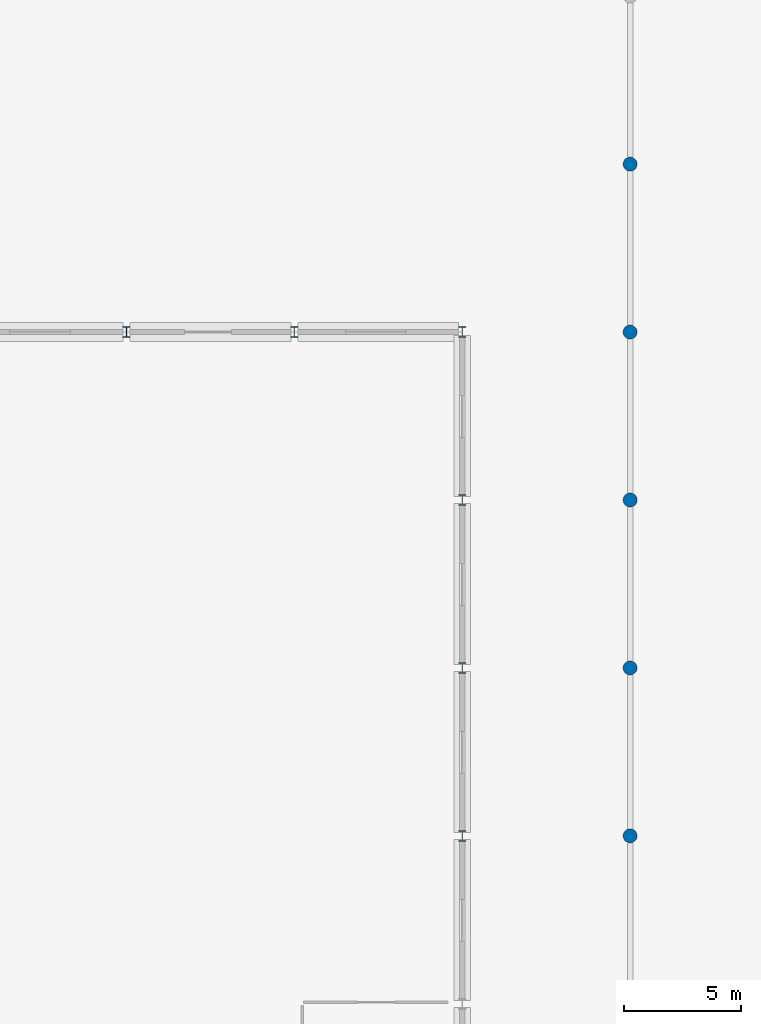
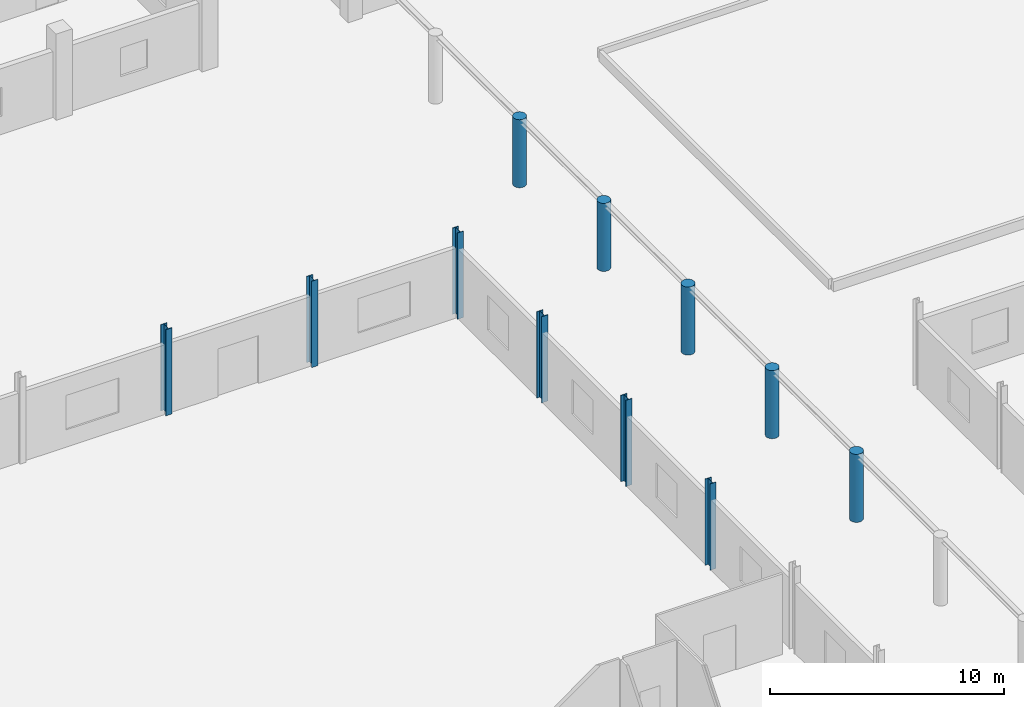
# One storey, part 13 of 139: 11 columns.
"""IFC4 building model written with IfcOpenShell, lengths in metres."""

from ifc_helpers import new_model, si_unit, direction, frame, origin, origin_2d, place, context, subcontext, project, spatial, circle, i_section, extrude, material, material_profile, profile_set, type_object, element, save


model = new_model("IFC4")

# Units and contexts
model_context = context("Model", 3, precision=1e-05, world=origin(), true_north=direction((0.0, 1.0)))
body_context = subcontext(model_context, "Body", "Model", "MODEL_VIEW")
ifc_project = project(units=[si_unit("LENGTHUNIT", "METRE"), si_unit("AREAUNIT", "SQUARE_METRE"), si_unit("VOLUMEUNIT", "CUBIC_METRE"), si_unit("PLANEANGLEUNIT", "RADIAN"), si_unit("MASSUNIT", "GRAM", prefix="KILO")], contexts=[model_context])

# Site, building, storey
site_placement = place(None, origin())
site = spatial("IfcSite", under=ifc_project, at=site_placement, CompositionType="ELEMENT")
building_placement = place(site_placement, origin())
building = spatial("IfcBuilding", under=site, at=building_placement, Name="Suanplinth Sawtooth Commons", CompositionType="ELEMENT")
storey_placement = place(building_placement, origin())
storey = spatial("IfcBuildingStorey", under=building, at=storey_placement, Name="L00", CompositionType="ELEMENT", Elevation=0.0)

# Columns
ifc_material_1 = material(Name="Concrete C40/50", Category="concrete")
ifc_material_profile_1 = material_profile(ifc_material_1, circle(Radius=0.300048828125, at=origin_2d()), Name="RC-CIRC D600")
ifc_profile_set_1 = profile_set([ifc_material_profile_1], Name="Concrete C40/50")
column_type_1 = type_object("IfcColumnType", Name="C-08", PredefinedType="COLUMN", material=ifc_profile_set_1)
for number, where, z_axis, x_axis, name in (
    (1, (122.39990234375, 64.800048828125, 0.0), (0.0, 0.0, 1.0), (1.0, 0.0, 0.0), "Column L00 18/K"),
    (2, (122.39990234375, 72.0, 0.0), (0.0, 0.0, 1.0), (1.0, 0.0, 0.0), "Column L00 18/L"),
    (3, (122.39990234375, 79.199951171875, 0.0), (0.0, 0.0, 1.0), (1.0, 0.0, 0.0), "Column L00 18/M"),
    (4, (122.39990234375, 86.39990234375, 0.0), (0.0, 0.0, 1.0), (1.0, 0.0, 0.0), "Column L00 18/N"),
    (5, (122.39990234375, 93.60009765625, 0.0), (0.0, 0.0, 1.0), (1.0, 0.0, 0.0), "Column L00 18/P"),
):
    element("IfcColumn", number, at=place(storey_placement, frame(where, z_axis=z_axis, x_axis=x_axis)), inside=storey, type_object=column_type_1, Name=name, PredefinedType="COLUMN", context=body_context, shape_type="SweptSolid", body=[
        extrude(circle(Radius=0.300048828125, at=origin_2d()), origin(), (0.0, 0.0, 1.0), 3.550048828125),
    ])
ifc_material_2 = material(Name="Steel S355JR", Category="steel")
ifc_material_profile_2 = material_profile(ifc_material_2, i_section(OverallWidth=0.300048828125, OverallDepth=0.449951171875, WebThickness=0.013916015625, FlangeThickness=0.02587890625, at=origin_2d()), Name="HEB 450")
ifc_profile_set_2 = profile_set([ifc_material_profile_2], Name="Steel S355JR")
column_type_2 = type_object("IfcColumnType", Name="C-09", PredefinedType="COLUMN", material=ifc_profile_set_2)
for number, where, z_axis, x_axis, name in (
    (6, (100.800048828125, 86.39990234375, 0.0), (0.0, 0.0, 1.0), (1.0, 0.0, 0.0), "Column L00 15/N"),
    (7, (108.0, 86.39990234375, 0.0), (0.0, 0.0, 1.0), (1.0, 0.0, 0.0), "Column L00 16/N"),
    (8, (115.199951171875, 64.800048828125, 0.0), (0.0, 0.0, 1.0), (1.0, 0.0, 0.0), "Column L00 17/K"),
    (9, (115.199951171875, 72.0, 0.0), (0.0, 0.0, 1.0), (1.0, 0.0, 0.0), "Column L00 17/L"),
    (10, (115.199951171875, 79.199951171875, 0.0), (0.0, 0.0, 1.0), (1.0, 0.0, 0.0), "Column L00 17/M"),
    (11, (115.199951171875, 86.39990234375, 0.0), (0.0, 0.0, 1.0), (1.0, 0.0, 0.0), "Column L00 17/N"),
):
    element("IfcColumn", number, at=place(storey_placement, frame(where, z_axis=z_axis, x_axis=x_axis)), inside=storey, type_object=column_type_2, Name=name, PredefinedType="COLUMN", context=body_context, shape_type="SweptSolid", body=[
        extrude(i_section(OverallWidth=0.300048828125, OverallDepth=0.449951171875, WebThickness=0.013916015625, FlangeThickness=0.02587890625, at=origin_2d()), origin(), (0.0, 0.0, 1.0), 4.5),
    ])

save(model, "model.ifc")
